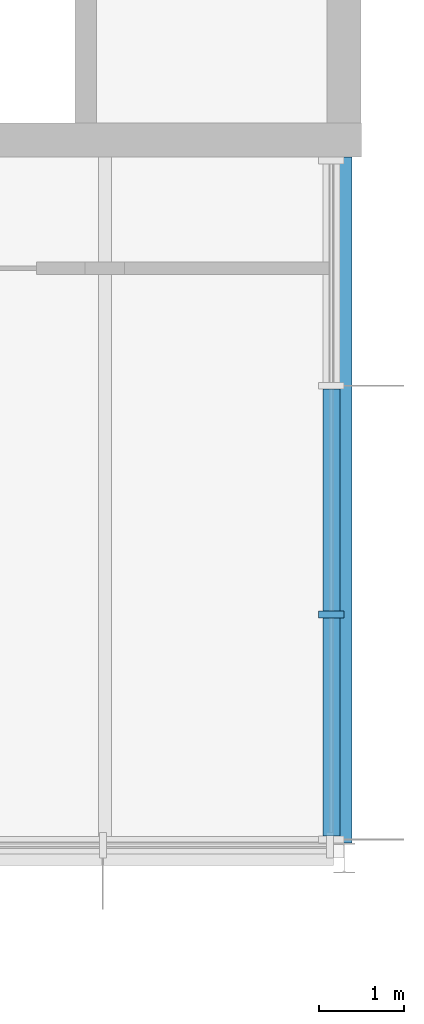
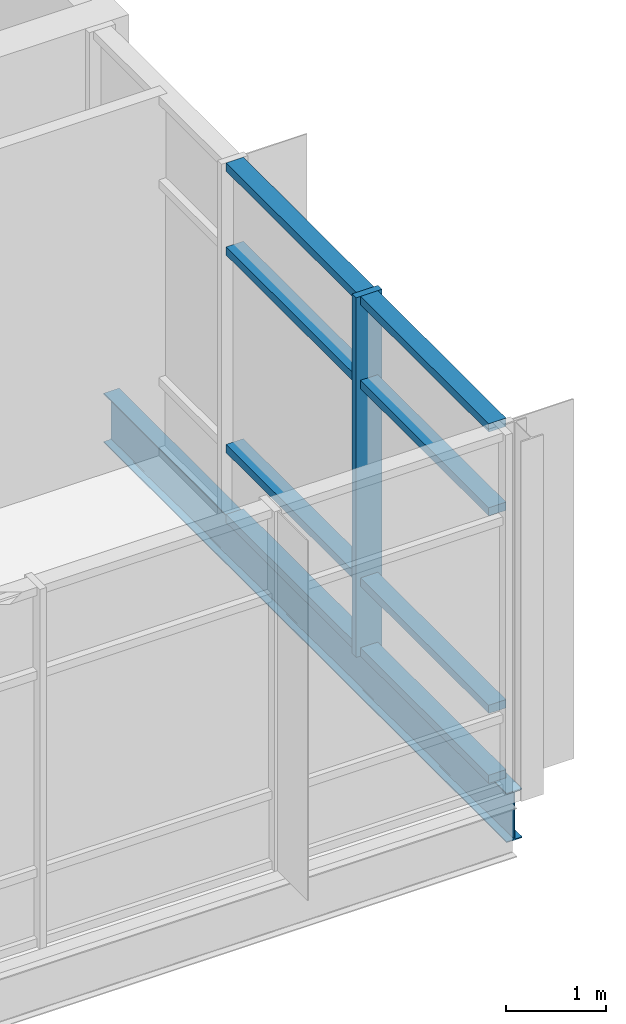
# One storey, part 24 of 72: 9 members, 1 beam, 1 element without a shape of its own.
"""IFC4 building model written with IfcOpenShell, lengths in metres."""

from ifc_helpers import new_model, si_unit, direction, frame, origin, origin_2d, place, context, subcontext, project, spatial, rectangle, i_section, extrude, material, material_profile, profile_set, type_object, element, aggregate, save


model = new_model("IFC4")

# Units and contexts
model_context = context("Model", 3, precision=1e-05, world=origin(), true_north=direction((0.0, 1.0)))
body_context = subcontext(model_context, "Body", "Model", "MODEL_VIEW")
ifc_project = project(units=[si_unit("LENGTHUNIT", "METRE"), si_unit("AREAUNIT", "SQUARE_METRE"), si_unit("VOLUMEUNIT", "CUBIC_METRE"), si_unit("PLANEANGLEUNIT", "RADIAN"), si_unit("MASSUNIT", "GRAM", prefix="KILO")], contexts=[model_context])

# Site, building, storey
site_placement = place(None, origin())
site = spatial("IfcSite", under=ifc_project, at=site_placement, CompositionType="ELEMENT")
building_placement = place(site_placement, origin())
building = spatial("IfcBuilding", under=site, at=building_placement, Name="Hlaing Beacon Police Headquarters", CompositionType="ELEMENT")
storey_placement = place(building_placement, frame((0.0, 0.0, 14.39990234375)))
storey = spatial("IfcBuildingStorey", under=building, at=storey_placement, Name="L03", CompositionType="ELEMENT", Elevation=14.39990234375)

# Beam
ifc_material_1 = material(Name="Steel ASTM A992 Grade 50", Category="steel")
ifc_material_profile_1 = material_profile(ifc_material_1, i_section(OverallWidth=0.177978515625, OverallDepth=0.599365234375, WebThickness=0.010009765625, FlangeThickness=0.012939453125, FilletRadius=0.012939453125, at=origin_2d()), Name="W24x55")
ifc_profile_set_1 = profile_set([ifc_material_profile_1], Name="Steel ASTM A992 Grade 50")
beam_type = type_object("IfcBeamType", Name="Girder W24x55", PredefinedType="BEAM", material=ifc_profile_set_1)
beam_placement = place(storey_placement, frame((134.39990234375, 67.3779296875, -0.4296875), z_axis=(0.0, 1.0, 0.0), x_axis=(-1.0, 0.0, 0.0)))
element("IfcBeam", 1, at=beam_placement, inside=storey, type_object=beam_type, Name="STR-BM-L03-GY-S9-S10", PredefinedType="BEAM", context=body_context, shape_type="SweptSolid", body=[
    extrude(i_section(OverallWidth=0.177978515625, OverallDepth=0.599365234375, WebThickness=0.010009765625, FlangeThickness=0.012939453125, FilletRadius=0.012939453125, at=origin_2d()), origin(), (0.0, 0.0, 1.0), 8.02197265625),
])

# Curtain wall, members
ifc_material_2 = material(Name="Aluminium frame with solar control glazing", Category="aluminium")
curtain_wall_type = type_object("IfcCurtainWallType", Name="Structural glazed gable wall 8.02 x 4.37", PredefinedType="NOTDEFINED", material=ifc_material_2)
curtain_wall_placement = place(storey_placement, origin())
curtain_wall = element("IfcCurtainWall", 2, at=curtain_wall_placement, inside=storey, type_object=curtain_wall_type, Name="ENV-CW-L03-E026", PredefinedType="NOTDEFINED")
ifc_material_3 = material(Name="Aluminium", Category="aluminium")
ifc_material_profile_2 = material_profile(ifc_material_3, rectangle(XDim=0.300048828125, YDim=0.080078125, at=origin_2d()), Name="Mullion 80x300")
ifc_profile_set_2 = profile_set([ifc_material_profile_2], Name="Aluminium")
member_type_1 = type_object("IfcMemberType", Name="Mullion 80x300", PredefinedType="MULLION", material=ifc_profile_set_2)
member_1_placement = place(storey_placement, frame((134.25, 70.051025390625, 0.0), z_axis=(0.0, 0.0, 1.0), x_axis=(-1.0, 0.0, 0.0)))
member_1 = element("IfcMember", 3, at=member_1_placement, type_object=member_type_1, Name="CW-L03-E026 mullion 2", PredefinedType="MULLION", context=body_context, shape_type="SweptSolid", body=[
    extrude(rectangle(XDim=0.300048828125, YDim=0.080078125, at=origin_2d()), origin(), (0.0, 0.0, 1.0), 4.3701171875),
])
ifc_material_4 = material(Name="Aluminium", Category="aluminium")
ifc_material_profile_3 = material_profile(ifc_material_4, rectangle(XDim=0.199951171875, YDim=0.10009765625, at=origin_2d()), Name="Transom 200x100")
ifc_profile_set_3 = profile_set([ifc_material_profile_3], Name="Aluminium")
member_type_2 = type_object("IfcMemberType", Name="Transom 200x100", PredefinedType="USERDEFINED", material=ifc_profile_set_3)
member_2_placement = place(storey_placement, frame((134.25, 67.45654296875, 0.050048828125), z_axis=(0.0, 1.0, 0.0), x_axis=(-1.0, 0.0, 0.0)))
member_2 = element("IfcMember", 4, at=member_2_placement, type_object=member_type_2, Name="CW-L03-E026 transom 1.1", ObjectType="TRANSOM", PredefinedType="USERDEFINED", context=body_context, shape_type="SweptSolid", body=[
    extrude(rectangle(XDim=0.199951171875, YDim=0.10009765625, at=origin_2d()), origin(), (0.0, 0.0, 1.0), 2.554443359375),
])
member_3_placement = place(storey_placement, frame((134.25, 67.45654296875, 0.900146484375), z_axis=(0.0, 1.0, 0.0), x_axis=(-1.0, 0.0, 0.0)))
member_3 = element("IfcMember", 5, at=member_3_placement, type_object=member_type_2, Name="CW-L03-E026 transom 1.2", ObjectType="TRANSOM", PredefinedType="USERDEFINED", context=body_context, shape_type="SweptSolid", body=[
    extrude(rectangle(XDim=0.199951171875, YDim=0.10009765625, at=origin_2d()), origin(), (0.0, 0.0, 1.0), 2.554443359375),
])
member_4_placement = place(storey_placement, frame((134.25, 67.45654296875, 3.300048828125), z_axis=(0.0, 1.0, 0.0), x_axis=(-1.0, 0.0, 0.0)))
member_4 = element("IfcMember", 6, at=member_4_placement, type_object=member_type_2, Name="CW-L03-E026 transom 1.3", ObjectType="TRANSOM", PredefinedType="USERDEFINED", context=body_context, shape_type="SweptSolid", body=[
    extrude(rectangle(XDim=0.199951171875, YDim=0.10009765625, at=origin_2d()), origin(), (0.0, 0.0, 1.0), 2.554443359375),
])
member_5_placement = place(storey_placement, frame((134.25, 67.45654296875, 4.320068359375), z_axis=(0.0, 1.0, 0.0), x_axis=(-1.0, 0.0, 0.0)))
member_5 = element("IfcMember", 7, at=member_5_placement, type_object=member_type_2, Name="CW-L03-E026 transom 1.4", ObjectType="TRANSOM", PredefinedType="USERDEFINED", context=body_context, shape_type="SweptSolid", body=[
    extrude(rectangle(XDim=0.199951171875, YDim=0.10009765625, at=origin_2d()), origin(), (0.0, 0.0, 1.0), 2.554443359375),
])
member_6_placement = place(storey_placement, frame((134.25, 70.091064453125, 0.050048828125), z_axis=(0.0, 1.0, 0.0), x_axis=(-1.0, 0.0, 0.0)))
member_6 = element("IfcMember", 8, at=member_6_placement, type_object=member_type_2, Name="CW-L03-E026 transom 2.1", ObjectType="TRANSOM", PredefinedType="USERDEFINED", context=body_context, shape_type="SweptSolid", body=[
    extrude(rectangle(XDim=0.199951171875, YDim=0.10009765625, at=origin_2d()), origin(), (0.0, 0.0, 1.0), 2.594482421875),
])
member_7_placement = place(storey_placement, frame((134.25, 70.091064453125, 0.900146484375), z_axis=(0.0, 1.0, 0.0), x_axis=(-1.0, 0.0, 0.0)))
member_7 = element("IfcMember", 9, at=member_7_placement, type_object=member_type_2, Name="CW-L03-E026 transom 2.2", ObjectType="TRANSOM", PredefinedType="USERDEFINED", context=body_context, shape_type="SweptSolid", body=[
    extrude(rectangle(XDim=0.199951171875, YDim=0.10009765625, at=origin_2d()), origin(), (0.0, 0.0, 1.0), 2.594482421875),
])
member_8_placement = place(storey_placement, frame((134.25, 70.091064453125, 3.300048828125), z_axis=(0.0, 1.0, 0.0), x_axis=(-1.0, 0.0, 0.0)))
member_8 = element("IfcMember", 10, at=member_8_placement, type_object=member_type_2, Name="CW-L03-E026 transom 2.3", ObjectType="TRANSOM", PredefinedType="USERDEFINED", context=body_context, shape_type="SweptSolid", body=[
    extrude(rectangle(XDim=0.199951171875, YDim=0.10009765625, at=origin_2d()), origin(), (0.0, 0.0, 1.0), 2.594482421875),
])
member_9_placement = place(storey_placement, frame((134.25, 70.091064453125, 4.320068359375), z_axis=(0.0, 1.0, 0.0), x_axis=(-1.0, 0.0, 0.0)))
member_9 = element("IfcMember", 11, at=member_9_placement, type_object=member_type_2, Name="CW-L03-E026 transom 2.4", ObjectType="TRANSOM", PredefinedType="USERDEFINED", context=body_context, shape_type="SweptSolid", body=[
    extrude(rectangle(XDim=0.199951171875, YDim=0.10009765625, at=origin_2d()), origin(), (0.0, 0.0, 1.0), 2.594482421875),
])
aggregate(curtain_wall, [member_1, member_2, member_3, member_4, member_5, member_6, member_7, member_8, member_9])

save(model, "model.ifc")
